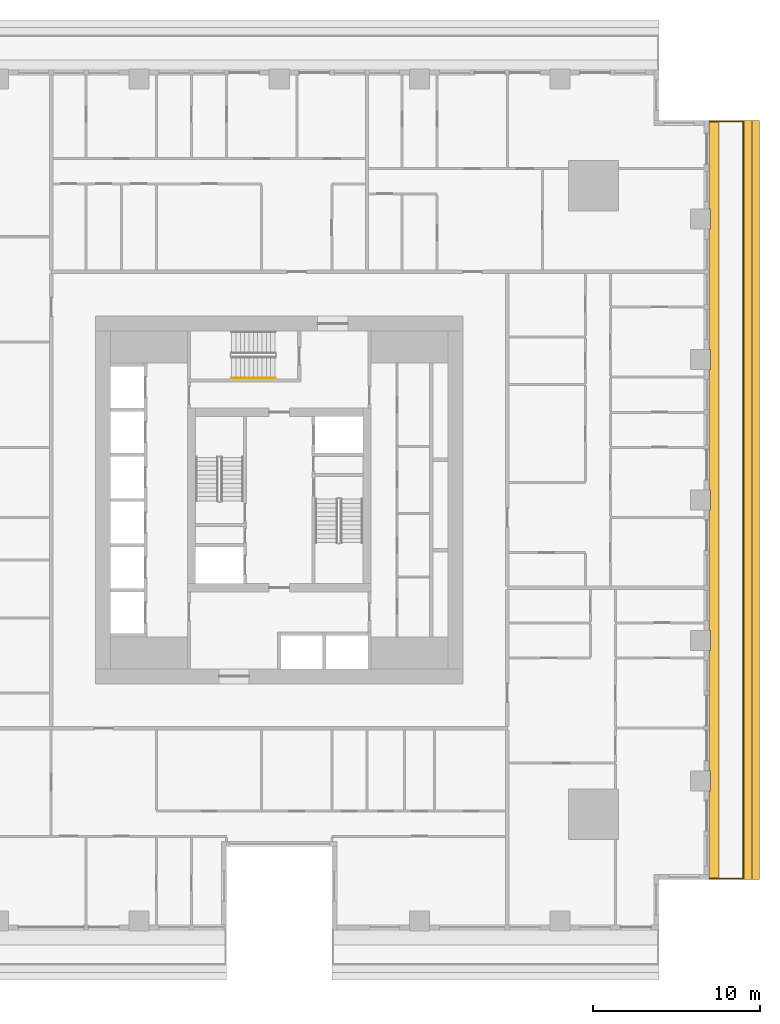
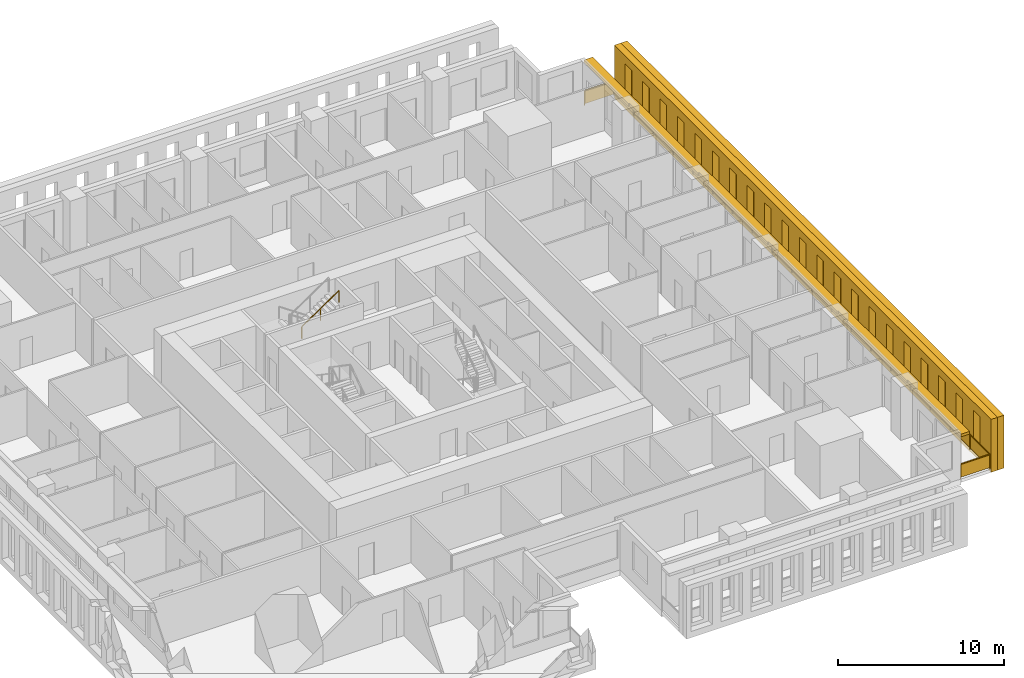
# One storey, part 13 of 15: 3 shading devices, 2 railings.
"""IFC4 building model written with IfcOpenShell, lengths in metres."""

from ifc_helpers import new_model, si_unit, direction, frame, origin, origin_2d, place, context, subcontext, project, spatial, polyline, rectangle, outline, extrude, material, layer, layer_set, type_object, element, save


model = new_model("IFC4")

# Units and contexts
model_context = context("Model", 3, precision=1e-05, world=origin(), true_north=direction((0.0, 1.0)))
body_context = subcontext(model_context, "Body", "Model", "MODEL_VIEW")
ifc_project = project(units=[si_unit("LENGTHUNIT", "METRE"), si_unit("AREAUNIT", "SQUARE_METRE"), si_unit("VOLUMEUNIT", "CUBIC_METRE"), si_unit("PLANEANGLEUNIT", "RADIAN"), si_unit("MASSUNIT", "GRAM", prefix="KILO")], contexts=[model_context])

# Site, building, storey
site_placement = place(None, origin())
site = spatial("IfcSite", under=ifc_project, at=site_placement, CompositionType="ELEMENT")
building_placement = place(site_placement, origin())
building = spatial("IfcBuilding", under=site, at=building_placement, Name="Khepri Terraces", CompositionType="ELEMENT")
storey_placement = place(building_placement, frame((0.0, 0.0, 30.89990234375)))
storey = spatial("IfcBuildingStorey", under=building, at=storey_placement, Name="L06", CompositionType="ELEMENT", Elevation=30.89990234375)

# Railings
ifc_material_1 = material(Name="Stainless steel grade 316", Category="steel")
railing_type_1 = type_object("IfcRailingType", Name="GRD-BAL-1100", PredefinedType="GUARDRAIL", material=ifc_material_1)
railing_1_placement = place(storey_placement, frame((25.719970703125, -22.669921875, 0.0)))
element("IfcRailing", 1, at=railing_1_placement, inside=storey, type_object=railing_type_1, Name="Balcony guard L06 E", PredefinedType="GUARDRAIL", context=body_context, shape_type="SweptSolid", body=[
    extrude(rectangle(XDim=0.050048828125, YDim=0.06005859375, at=origin_2d()), frame((0.0, 0.0, 1.070068359375), z_axis=(1.0, 0.0, 0.0), x_axis=(0.0, 1.0, 0.0)), (0.0, 0.0, 1.0), 2.050048828125),
    extrude(rectangle(XDim=2.0, YDim=0.011962890625, at=origin_2d()), frame((1.02490234375, 0.0, 0.10009765625), z_axis=(0.0, 0.0, 1.0), x_axis=(1.0, 0.0, 0.0)), (0.0, 0.0, 1.0), 0.93994140625),
    extrude(rectangle(XDim=0.050048828125, YDim=0.06005859375, at=origin_2d()), frame((2.050048828125, 0.0, 1.070068359375), z_axis=(0.0, 1.0, 0.0), x_axis=(-1.0, 0.0, 0.0)), (0.0, 0.0, 1.0), 45.33984375),
    extrude(rectangle(XDim=2.336181640625, YDim=0.011962890625, at=origin_2d()), frame((2.050048828125, 1.193115234375, 0.10009765625), z_axis=(0.0, 0.0, 1.0), x_axis=(0.0, 1.0, 0.0)), (0.0, 0.0, 1.0), 0.93994140625),
    extrude(rectangle(XDim=2.336181640625, YDim=0.011962890625, at=origin_2d()), frame((2.050048828125, 3.579345703125, 0.10009765625), z_axis=(0.0, 0.0, 1.0), x_axis=(0.0, 1.0, 0.0)), (0.0, 0.0, 1.0), 0.93994140625),
    extrude(rectangle(XDim=2.336181640625, YDim=0.011962890625, at=origin_2d()), frame((2.050048828125, 5.9658203125, 0.10009765625), z_axis=(0.0, 0.0, 1.0), x_axis=(0.0, 1.0, 0.0)), (0.0, 0.0, 1.0), 0.93994140625),
    extrude(rectangle(XDim=2.336181640625, YDim=0.011962890625, at=origin_2d()), frame((2.050048828125, 8.35205078125, 0.10009765625), z_axis=(0.0, 0.0, 1.0), x_axis=(0.0, 1.0, 0.0)), (0.0, 0.0, 1.0), 0.93994140625),
    extrude(rectangle(XDim=2.336181640625, YDim=0.011962890625, at=origin_2d()), frame((2.050048828125, 10.73828125, 0.10009765625), z_axis=(0.0, 0.0, 1.0), x_axis=(0.0, 1.0, 0.0)), (0.0, 0.0, 1.0), 0.93994140625),
    extrude(rectangle(XDim=2.336181640625, YDim=0.011962890625, at=origin_2d()), frame((2.050048828125, 13.124755859375, 0.10009765625), z_axis=(0.0, 0.0, 1.0), x_axis=(0.0, 1.0, 0.0)), (0.0, 0.0, 1.0), 0.93994140625),
    extrude(rectangle(XDim=2.336181640625, YDim=0.011962890625, at=origin_2d()), frame((2.050048828125, 15.510986328125, 0.10009765625), z_axis=(0.0, 0.0, 1.0), x_axis=(0.0, 1.0, 0.0)), (0.0, 0.0, 1.0), 0.93994140625),
    extrude(rectangle(XDim=2.336181640625, YDim=0.011962890625, at=origin_2d()), frame((2.050048828125, 17.897216796875, 0.10009765625), z_axis=(0.0, 0.0, 1.0), x_axis=(0.0, 1.0, 0.0)), (0.0, 0.0, 1.0), 0.93994140625),
    extrude(rectangle(XDim=2.336181640625, YDim=0.011962890625, at=origin_2d()), frame((2.050048828125, 20.28369140625, 0.10009765625), z_axis=(0.0, 0.0, 1.0), x_axis=(0.0, 1.0, 0.0)), (0.0, 0.0, 1.0), 0.93994140625),
    extrude(rectangle(XDim=2.336181640625, YDim=0.011962890625, at=origin_2d()), frame((2.050048828125, 22.669921875, 0.10009765625), z_axis=(0.0, 0.0, 1.0), x_axis=(0.0, 1.0, 0.0)), (0.0, 0.0, 1.0), 0.93994140625),
    extrude(rectangle(XDim=2.336181640625, YDim=0.011962890625, at=origin_2d()), frame((2.050048828125, 25.05615234375, 0.10009765625), z_axis=(0.0, 0.0, 1.0), x_axis=(0.0, 1.0, 0.0)), (0.0, 0.0, 1.0), 0.93994140625),
    extrude(rectangle(XDim=2.336181640625, YDim=0.011962890625, at=origin_2d()), frame((2.050048828125, 27.442626953125, 0.10009765625), z_axis=(0.0, 0.0, 1.0), x_axis=(0.0, 1.0, 0.0)), (0.0, 0.0, 1.0), 0.93994140625),
    extrude(rectangle(XDim=2.336181640625, YDim=0.011962890625, at=origin_2d()), frame((2.050048828125, 29.828857421875, 0.10009765625), z_axis=(0.0, 0.0, 1.0), x_axis=(0.0, 1.0, 0.0)), (0.0, 0.0, 1.0), 0.93994140625),
    extrude(rectangle(XDim=2.336181640625, YDim=0.011962890625, at=origin_2d()), frame((2.050048828125, 32.215087890625, 0.10009765625), z_axis=(0.0, 0.0, 1.0), x_axis=(0.0, 1.0, 0.0)), (0.0, 0.0, 1.0), 0.93994140625),
    extrude(rectangle(XDim=2.336181640625, YDim=0.011962890625, at=origin_2d()), frame((2.050048828125, 34.6015625, 0.10009765625), z_axis=(0.0, 0.0, 1.0), x_axis=(0.0, 1.0, 0.0)), (0.0, 0.0, 1.0), 0.93994140625),
    extrude(rectangle(XDim=2.336181640625, YDim=0.011962890625, at=origin_2d()), frame((2.050048828125, 36.98779296875, 0.10009765625), z_axis=(0.0, 0.0, 1.0), x_axis=(0.0, 1.0, 0.0)), (0.0, 0.0, 1.0), 0.93994140625),
    extrude(rectangle(XDim=2.336181640625, YDim=0.011962890625, at=origin_2d()), frame((2.050048828125, 39.3740234375, 0.10009765625), z_axis=(0.0, 0.0, 1.0), x_axis=(0.0, 1.0, 0.0)), (0.0, 0.0, 1.0), 0.93994140625),
    extrude(rectangle(XDim=2.336181640625, YDim=0.011962890625, at=origin_2d()), frame((2.050048828125, 41.760498046875, 0.10009765625), z_axis=(0.0, 0.0, 1.0), x_axis=(0.0, 1.0, 0.0)), (0.0, 0.0, 1.0), 0.93994140625),
    extrude(rectangle(XDim=2.336181640625, YDim=0.011962890625, at=origin_2d()), frame((2.050048828125, 44.146728515625, 0.10009765625), z_axis=(0.0, 0.0, 1.0), x_axis=(0.0, 1.0, 0.0)), (0.0, 0.0, 1.0), 0.93994140625),
    extrude(rectangle(XDim=0.050048828125, YDim=0.06005859375, at=origin_2d()), frame((2.050048828125, 45.33984375, 1.070068359375), z_axis=(-1.0, 0.0, 0.0), x_axis=(0.0, -1.0, 0.0)), (0.0, 0.0, 1.0), 2.050048828125),
    extrude(rectangle(XDim=2.0, YDim=0.011962890625, at=origin_2d()), frame((1.02490234375, 45.33984375, 0.10009765625), z_axis=(0.0, 0.0, 1.0), x_axis=(-1.0, 0.0, 0.0)), (0.0, 0.0, 1.0), 0.93994140625),
    extrude(rectangle(XDim=0.050048828125, YDim=0.050048828125, at=origin_2d()), origin(), (0.0, 0.0, 1.0), 1.0400390625),
    extrude(rectangle(XDim=0.050048828125, YDim=0.050048828125, at=origin_2d()), frame((2.050048828125, 0.0, 0.0)), (0.0, 0.0, 1.0), 1.0400390625),
    extrude(rectangle(XDim=0.050048828125, YDim=0.050048828125, at=origin_2d()), frame((2.050048828125, 2.38623046875, 0.0)), (0.0, 0.0, 1.0), 1.0400390625),
    extrude(rectangle(XDim=0.050048828125, YDim=0.050048828125, at=origin_2d()), frame((2.050048828125, 4.772705078125, 0.0)), (0.0, 0.0, 1.0), 1.0400390625),
    extrude(rectangle(XDim=0.050048828125, YDim=0.050048828125, at=origin_2d()), frame((2.050048828125, 7.158935546875, 0.0)), (0.0, 0.0, 1.0), 1.0400390625),
    extrude(rectangle(XDim=0.050048828125, YDim=0.050048828125, at=origin_2d()), frame((2.050048828125, 9.545166015625, 0.0)), (0.0, 0.0, 1.0), 1.0400390625),
    extrude(rectangle(XDim=0.050048828125, YDim=0.050048828125, at=origin_2d()), frame((2.050048828125, 11.931640625, 0.0)), (0.0, 0.0, 1.0), 1.0400390625),
    extrude(rectangle(XDim=0.050048828125, YDim=0.050048828125, at=origin_2d()), frame((2.050048828125, 14.31787109375, 0.0)), (0.0, 0.0, 1.0), 1.0400390625),
    extrude(rectangle(XDim=0.050048828125, YDim=0.050048828125, at=origin_2d()), frame((2.050048828125, 16.7041015625, 0.0)), (0.0, 0.0, 1.0), 1.0400390625),
    extrude(rectangle(XDim=0.050048828125, YDim=0.050048828125, at=origin_2d()), frame((2.050048828125, 19.090576171875, 0.0)), (0.0, 0.0, 1.0), 1.0400390625),
    extrude(rectangle(XDim=0.050048828125, YDim=0.050048828125, at=origin_2d()), frame((2.050048828125, 21.476806640625, 0.0)), (0.0, 0.0, 1.0), 1.0400390625),
    extrude(rectangle(XDim=0.050048828125, YDim=0.050048828125, at=origin_2d()), frame((2.050048828125, 23.863037109375, 0.0)), (0.0, 0.0, 1.0), 1.0400390625),
    extrude(rectangle(XDim=0.050048828125, YDim=0.050048828125, at=origin_2d()), frame((2.050048828125, 26.249267578125, 0.0)), (0.0, 0.0, 1.0), 1.0400390625),
    extrude(rectangle(XDim=0.050048828125, YDim=0.050048828125, at=origin_2d()), frame((2.050048828125, 28.6357421875, 0.0)), (0.0, 0.0, 1.0), 1.0400390625),
    extrude(rectangle(XDim=0.050048828125, YDim=0.050048828125, at=origin_2d()), frame((2.050048828125, 31.02197265625, 0.0)), (0.0, 0.0, 1.0), 1.0400390625),
    extrude(rectangle(XDim=0.050048828125, YDim=0.050048828125, at=origin_2d()), frame((2.050048828125, 33.408203125, 0.0)), (0.0, 0.0, 1.0), 1.0400390625),
    extrude(rectangle(XDim=0.050048828125, YDim=0.050048828125, at=origin_2d()), frame((2.050048828125, 35.794677734375, 0.0)), (0.0, 0.0, 1.0), 1.0400390625),
    extrude(rectangle(XDim=0.050048828125, YDim=0.050048828125, at=origin_2d()), frame((2.050048828125, 38.180908203125, 0.0)), (0.0, 0.0, 1.0), 1.0400390625),
    extrude(rectangle(XDim=0.050048828125, YDim=0.050048828125, at=origin_2d()), frame((2.050048828125, 40.567138671875, 0.0)), (0.0, 0.0, 1.0), 1.0400390625),
    extrude(rectangle(XDim=0.050048828125, YDim=0.050048828125, at=origin_2d()), frame((2.050048828125, 42.95361328125, 0.0)), (0.0, 0.0, 1.0), 1.0400390625),
    extrude(rectangle(XDim=0.050048828125, YDim=0.050048828125, at=origin_2d()), frame((2.050048828125, 45.33984375, 0.0)), (0.0, 0.0, 1.0), 1.0400390625),
    extrude(rectangle(XDim=0.050048828125, YDim=0.050048828125, at=origin_2d()), frame((0.0, 45.33984375, 0.0)), (0.0, 0.0, 1.0), 1.0400390625),
])
ifc_material_2 = material(Name="Stainless steel 316", Category="steel")
railing_type_2 = type_object("IfcRailingType", Name="RL-CORE-HANDRAIL", PredefinedType="HANDRAIL", material=ifc_material_2)
railing_2_placement = place(storey_placement, frame((-2.85009765625, 7.300048828125, 2.12744140625)))
element("IfcRailing", 2, at=railing_2_placement, inside=storey, type_object=railing_type_2, Name="L06 ST-3 stair handrail 2", PredefinedType="HANDRAIL", context=body_context, shape_type="SweptSolid", body=[
    extrude(rectangle(XDim=0.050048828125, YDim=0.050048828125, at=origin_2d()), frame((0.0, 0.0, 0.875), z_axis=(0.826240473404, 0.0, 0.563317565952), x_axis=(0.0, 1.0, 0.0)), (0.0, 0.0, 1.0), 3.14697265625),
    extrude(rectangle(XDim=0.050048828125, YDim=0.050048828125, at=origin_2d()), origin(), (0.0, 0.0, 1.0), 0.849853515625),
    extrude(rectangle(XDim=0.050048828125, YDim=0.050048828125, at=origin_2d()), frame((1.300048828125, 0.0, 0.88623046875)), (0.0, 0.0, 1.0), 0.849853515625),
    extrude(rectangle(XDim=0.050048828125, YDim=0.050048828125, at=origin_2d()), frame((2.60009765625, 0.0, 1.772705078125)), (0.0, 0.0, 1.0), 0.849853515625),
])

# Shading devices
ifc_material_3 = material(Name="Precast concrete C50/60 warm stone", Category="masonry")
shading_device_type_1 = type_object("IfcShadingDeviceType", Name="SCR-CELL-INNER-450", PredefinedType="USERDEFINED", material=ifc_material_3)
shading_device_1_placement = place(storey_placement, frame((27.820068359375, -22.719970703125, -0.25), z_axis=(1.0, 0.0, 0.0), x_axis=(0.0, 1.0, 0.0)))
element("IfcShadingDevice", 3, at=shading_device_1_placement, inside=storey, type_object=shading_device_type_1, Name="Cell screen L06 E in", ObjectType="SCREEN", PredefinedType="USERDEFINED", context=body_context, shape_type="SweptSolid", body=[
    extrude(outline(polyline([(0.0, 0.0), (45.43994140625, 0.0), (45.43994140625, 3.89990234375), (0.0, 3.89990234375), (0.0, 0.0)]), holes=[polyline([(1.318359375, 0.699951171875), (2.12158203125, 0.699951171875), (2.12158203125, 3.300048828125), (1.318359375, 3.300048828125), (1.318359375, 0.699951171875)]), polyline([(3.41845703125, 0.699951171875), (4.2216796875, 0.699951171875), (4.2216796875, 3.300048828125), (3.41845703125, 3.300048828125), (3.41845703125, 0.699951171875)]), polyline([(5.518310546875, 0.699951171875), (6.321533203125, 0.699951171875), (6.321533203125, 3.300048828125), (5.518310546875, 3.300048828125), (5.518310546875, 0.699951171875)]), polyline([(7.618408203125, 0.699951171875), (8.421630859375, 0.699951171875), (8.421630859375, 3.300048828125), (7.618408203125, 3.300048828125), (7.618408203125, 0.699951171875)]), polyline([(9.718505859375, 0.699951171875), (10.521484375, 0.699951171875), (10.521484375, 3.300048828125), (9.718505859375, 3.300048828125), (9.718505859375, 0.699951171875)]), polyline([(11.818359375, 0.699951171875), (12.62158203125, 0.699951171875), (12.62158203125, 3.300048828125), (11.818359375, 3.300048828125), (11.818359375, 0.699951171875)]), polyline([(13.91845703125, 0.699951171875), (14.7216796875, 0.699951171875), (14.7216796875, 3.300048828125), (13.91845703125, 3.300048828125), (13.91845703125, 0.699951171875)]), polyline([(16.018310546875, 0.699951171875), (16.821533203125, 0.699951171875), (16.821533203125, 3.300048828125), (16.018310546875, 3.300048828125), (16.018310546875, 0.699951171875)]), polyline([(18.118408203125, 0.699951171875), (18.921630859375, 0.699951171875), (18.921630859375, 3.300048828125), (18.118408203125, 3.300048828125), (18.118408203125, 0.699951171875)]), polyline([(20.218505859375, 0.699951171875), (21.021484375, 0.699951171875), (21.021484375, 3.300048828125), (20.218505859375, 3.300048828125), (20.218505859375, 0.699951171875)]), polyline([(22.318359375, 0.699951171875), (23.12158203125, 0.699951171875), (23.12158203125, 3.300048828125), (22.318359375, 3.300048828125), (22.318359375, 0.699951171875)]), polyline([(24.41845703125, 0.699951171875), (25.2216796875, 0.699951171875), (25.2216796875, 3.300048828125), (24.41845703125, 3.300048828125), (24.41845703125, 0.699951171875)]), polyline([(26.518310546875, 0.699951171875), (27.321533203125, 0.699951171875), (27.321533203125, 3.300048828125), (26.518310546875, 3.300048828125), (26.518310546875, 0.699951171875)]), polyline([(28.618408203125, 0.699951171875), (29.421630859375, 0.699951171875), (29.421630859375, 3.300048828125), (28.618408203125, 3.300048828125), (28.618408203125, 0.699951171875)]), polyline([(30.718505859375, 0.699951171875), (31.521484375, 0.699951171875), (31.521484375, 3.300048828125), (30.718505859375, 3.300048828125), (30.718505859375, 0.699951171875)]), polyline([(32.818359375, 0.699951171875), (33.62158203125, 0.699951171875), (33.62158203125, 3.300048828125), (32.818359375, 3.300048828125), (32.818359375, 0.699951171875)]), polyline([(34.91845703125, 0.699951171875), (35.7216796875, 0.699951171875), (35.7216796875, 3.300048828125), (34.91845703125, 3.300048828125), (34.91845703125, 0.699951171875)]), polyline([(37.018310546875, 0.699951171875), (37.821533203125, 0.699951171875), (37.821533203125, 3.300048828125), (37.018310546875, 3.300048828125), (37.018310546875, 0.699951171875)]), polyline([(39.118408203125, 0.699951171875), (39.921630859375, 0.699951171875), (39.921630859375, 3.300048828125), (39.118408203125, 3.300048828125), (39.118408203125, 0.699951171875)]), polyline([(41.218505859375, 0.699951171875), (42.021484375, 0.699951171875), (42.021484375, 3.300048828125), (41.218505859375, 3.300048828125), (41.218505859375, 0.699951171875)]), polyline([(43.318359375, 0.699951171875), (44.12158203125, 0.699951171875), (44.12158203125, 3.300048828125), (43.318359375, 3.300048828125), (43.318359375, 0.699951171875)])]), origin(), (0.0, 0.0, 1.0), 0.449951171875),
])
shading_device_type_2 = type_object("IfcShadingDeviceType", Name="SCR-CELL-OUTER-450", PredefinedType="USERDEFINED", material=ifc_material_3)
shading_device_2_placement = place(storey_placement, frame((28.27001953125, -22.719970703125, -0.25), z_axis=(1.0, 0.0, 0.0), x_axis=(0.0, 1.0, 0.0)))
element("IfcShadingDevice", 4, at=shading_device_2_placement, inside=storey, type_object=shading_device_type_2, Name="Cell screen L06 E out", ObjectType="SCREEN", PredefinedType="USERDEFINED", context=body_context, shape_type="SweptSolid", body=[
    extrude(outline(polyline([(0.0, 0.0), (45.43994140625, 0.0), (45.43994140625, 3.89990234375), (0.0, 3.89990234375), (0.0, 0.0)]), holes=[polyline([(0.968505859375, 0.449951171875), (2.4716796875, 0.449951171875), (2.4716796875, 3.550048828125), (0.968505859375, 3.550048828125), (0.968505859375, 0.449951171875)]), polyline([(3.068359375, 0.449951171875), (4.571533203125, 0.449951171875), (4.571533203125, 3.550048828125), (3.068359375, 3.550048828125), (3.068359375, 0.449951171875)]), polyline([(5.16845703125, 0.449951171875), (6.671630859375, 0.449951171875), (6.671630859375, 3.550048828125), (5.16845703125, 3.550048828125), (5.16845703125, 0.449951171875)]), polyline([(7.268310546875, 0.449951171875), (8.771484375, 0.449951171875), (8.771484375, 3.550048828125), (7.268310546875, 3.550048828125), (7.268310546875, 0.449951171875)]), polyline([(9.368408203125, 0.449951171875), (10.87158203125, 0.449951171875), (10.87158203125, 3.550048828125), (9.368408203125, 3.550048828125), (9.368408203125, 0.449951171875)]), polyline([(11.468505859375, 0.449951171875), (12.9716796875, 0.449951171875), (12.9716796875, 3.550048828125), (11.468505859375, 3.550048828125), (11.468505859375, 0.449951171875)]), polyline([(13.568359375, 0.449951171875), (15.071533203125, 0.449951171875), (15.071533203125, 3.550048828125), (13.568359375, 3.550048828125), (13.568359375, 0.449951171875)]), polyline([(15.66845703125, 0.449951171875), (17.171630859375, 0.449951171875), (17.171630859375, 3.550048828125), (15.66845703125, 3.550048828125), (15.66845703125, 0.449951171875)]), polyline([(17.768310546875, 0.449951171875), (19.271484375, 0.449951171875), (19.271484375, 3.550048828125), (17.768310546875, 3.550048828125), (17.768310546875, 0.449951171875)]), polyline([(19.868408203125, 0.449951171875), (21.37158203125, 0.449951171875), (21.37158203125, 3.550048828125), (19.868408203125, 3.550048828125), (19.868408203125, 0.449951171875)]), polyline([(21.968505859375, 0.449951171875), (23.4716796875, 0.449951171875), (23.4716796875, 3.550048828125), (21.968505859375, 3.550048828125), (21.968505859375, 0.449951171875)]), polyline([(24.068359375, 0.449951171875), (25.571533203125, 0.449951171875), (25.571533203125, 3.550048828125), (24.068359375, 3.550048828125), (24.068359375, 0.449951171875)]), polyline([(26.16845703125, 0.449951171875), (27.671630859375, 0.449951171875), (27.671630859375, 3.550048828125), (26.16845703125, 3.550048828125), (26.16845703125, 0.449951171875)]), polyline([(28.268310546875, 0.449951171875), (29.771484375, 0.449951171875), (29.771484375, 3.550048828125), (28.268310546875, 3.550048828125), (28.268310546875, 0.449951171875)]), polyline([(30.368408203125, 0.449951171875), (31.87158203125, 0.449951171875), (31.87158203125, 3.550048828125), (30.368408203125, 3.550048828125), (30.368408203125, 0.449951171875)]), polyline([(32.468505859375, 0.449951171875), (33.9716796875, 0.449951171875), (33.9716796875, 3.550048828125), (32.468505859375, 3.550048828125), (32.468505859375, 0.449951171875)]), polyline([(34.568359375, 0.449951171875), (36.071533203125, 0.449951171875), (36.071533203125, 3.550048828125), (34.568359375, 3.550048828125), (34.568359375, 0.449951171875)]), polyline([(36.66845703125, 0.449951171875), (38.171630859375, 0.449951171875), (38.171630859375, 3.550048828125), (36.66845703125, 3.550048828125), (36.66845703125, 0.449951171875)]), polyline([(38.768310546875, 0.449951171875), (40.271484375, 0.449951171875), (40.271484375, 3.550048828125), (38.768310546875, 3.550048828125), (38.768310546875, 0.449951171875)]), polyline([(40.868408203125, 0.449951171875), (42.37158203125, 0.449951171875), (42.37158203125, 3.550048828125), (40.868408203125, 3.550048828125), (40.868408203125, 0.449951171875)]), polyline([(42.968505859375, 0.449951171875), (44.4716796875, 0.449951171875), (44.4716796875, 3.550048828125), (42.968505859375, 3.550048828125), (42.968505859375, 0.449951171875)])]), origin(), (0.0, 0.0, 1.0), 0.449951171875),
])
ifc_layer = layer(ifc_material_3, 0.199951171875, Name="Precast concrete C50/60 warm stone", Category="masonry")
ifc_layer_set = layer_set([ifc_layer], Name="Precast concrete C50/60 warm stone")
shading_device_type_3 = type_object("IfcShadingDeviceType", Name="SSH-BAND-STONE-200-N", PredefinedType="USERDEFINED", material=ifc_layer_set)
shading_device_3_placement = place(storey_placement, frame((0.0, 0.0, 3.10009765625)))
element("IfcShadingDevice", 5, at=shading_device_3_placement, inside=storey, type_object=shading_device_type_3, Name="Sunshade band L06 E", ObjectType="SUNSHADE", PredefinedType="USERDEFINED", context=body_context, shape_type="SweptSolid", body=[
    extrude(outline(polyline([(25.719970703125, -17.39990234375), (25.719970703125, -22.719970703125), (26.320068359375, -22.719970703125), (26.320068359375, 22.719970703125), (25.719970703125, 22.719970703125), (25.719970703125, 17.39990234375), (25.800048828125, 17.39990234375), (25.800048828125, 16.199951171875), (25.719970703125, 16.199951171875), (25.719970703125, 9.0), (25.800048828125, 9.0), (25.800048828125, 7.800048828125), (25.719970703125, 7.800048828125), (25.719970703125, 0.60009765625), (25.800048828125, 0.60009765625), (25.800048828125, -0.60009765625), (25.719970703125, -0.60009765625), (25.719970703125, -7.800048828125), (25.800048828125, -7.800048828125), (25.800048828125, -9.0), (25.719970703125, -9.0), (25.719970703125, -16.199951171875), (25.800048828125, -16.199951171875), (25.800048828125, -17.39990234375), (25.719970703125, -17.39990234375)])), origin(), (0.0, 0.0, 1.0), 0.199951171875),
])

save(model, "model.ifc")
